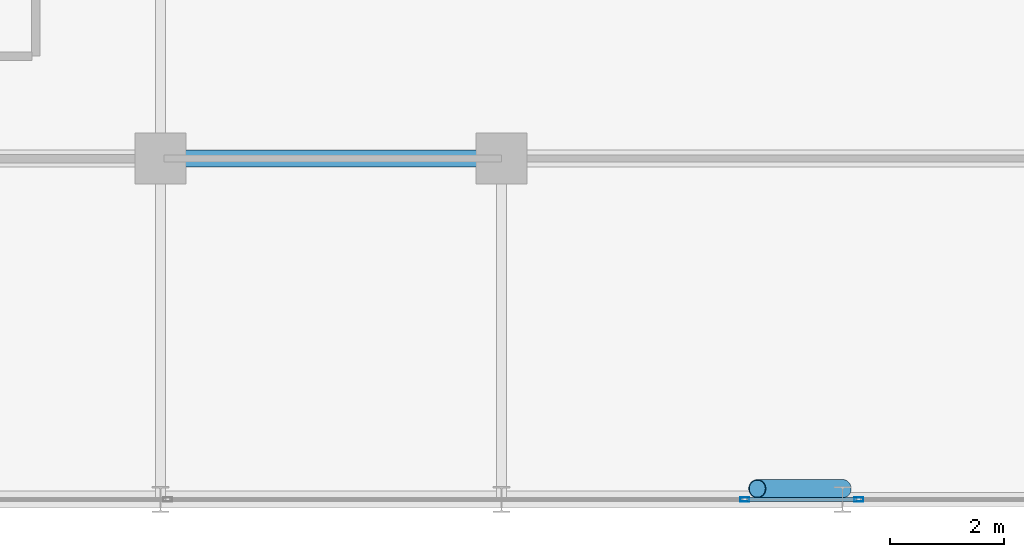
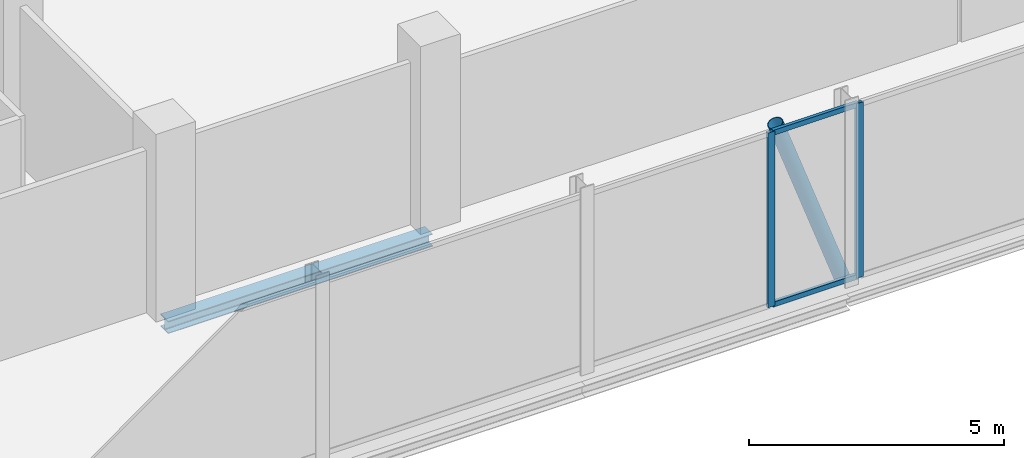
# One storey, part 12 of 31: 5 members, 1 beam, 2 elements without a shape of their own.
"""IFC4 building model written with IfcOpenShell, lengths in metres."""

from ifc_helpers import new_model, si_unit, direction, frame, origin, origin_2d, place, context, subcontext, project, spatial, hollow_rectangle, hollow_circle, i_section, extrude, material, layer, layer_set, material_profile, profile_set, type_object, element, aggregate, save


model = new_model("IFC4")

# Units and contexts
model_context = context("Model", 3, precision=1e-05, world=origin(), true_north=direction((0.0, 1.0)))
body_context = subcontext(model_context, "Body", "Model", "MODEL_VIEW")
ifc_project = project(units=[si_unit("LENGTHUNIT", "METRE"), si_unit("AREAUNIT", "SQUARE_METRE"), si_unit("VOLUMEUNIT", "CUBIC_METRE"), si_unit("PLANEANGLEUNIT", "RADIAN"), si_unit("MASSUNIT", "GRAM", prefix="KILO")], contexts=[model_context])

# Site, building, storey
site_placement = place(None, origin())
site = spatial("IfcSite", under=ifc_project, at=site_placement, CompositionType="ELEMENT")
building_placement = place(site_placement, origin())
building = spatial("IfcBuilding", under=site, at=building_placement, Name="Keshet Zoharim Tower", CompositionType="ELEMENT")
storey_placement = place(building_placement, frame((0.0, 0.0, 183.89990234375)))
storey = spatial("IfcBuildingStorey", under=building, at=storey_placement, Name="L45", CompositionType="ELEMENT", Elevation=183.89990234375)

# Beam
ifc_material_1 = material(Name="Steel S355", Category="steel")
ifc_material_profile_1 = material_profile(ifc_material_1, i_section(OverallWidth=0.300048828125, OverallDepth=0.300048828125, WebThickness=0.010986328125, FlangeThickness=0.01904296875, FilletRadius=0.027099609375, at=origin_2d()), Name="HEB300")
ifc_profile_set_1 = profile_set([ifc_material_profile_1], Name="Steel S355")
beam_type = type_object("IfcBeamType", Name="BM-PRI-HB300", PredefinedType="BEAM", material=ifc_profile_set_1)
beam_placement = place(storey_placement, frame((33.0, 6.699951171875, -0.469970703125), z_axis=(1.0, 0.0, 0.0), x_axis=(0.0, 1.0, 0.0)))
element("IfcBeam", 1, at=beam_placement, inside=storey, type_object=beam_type, Name="L45 Primary Girder X-007", PredefinedType="BEAM", context=body_context, shape_type="SweptSolid", body=[
    extrude(i_section(OverallWidth=0.300048828125, OverallDepth=0.300048828125, WebThickness=0.010986328125, FlangeThickness=0.01904296875, FilletRadius=0.027099609375, at=origin_2d()), origin(), (0.0, 0.0, 1.0), 6.0),
])

# Curtain wall, member
ifc_material_2 = material(Name="Aluminium 6063-T6", Category="aluminium")
ifc_layer = layer(ifc_material_2, 0.139892578125)
ifc_layer_set = layer_set([ifc_layer], Name="Aluminium 6063-T6")
curtain_wall_type = type_object("IfcCurtainWallType", Name="CW-SYS-05", PredefinedType="NOTDEFINED", material=ifc_layer_set)
curtain_wall_1_placement = place(storey_placement, origin())
curtain_wall_1 = element("IfcCurtainWall", 2, at=curtain_wall_1_placement, inside=storey, type_object=curtain_wall_type, Name="L45 Unitised Curtain Wall 11", PredefinedType="NOTDEFINED")
ifc_material_profile_2 = material_profile(ifc_material_2, hollow_rectangle(XDim=0.074951171875, YDim=0.159912109375, WallThickness=0.00390625, at=origin_2d()), Name="MUL-75x160")
ifc_profile_set_2 = profile_set([ifc_material_profile_2], Name="Aluminium 6063-T6")
member_type_1 = type_object("IfcMemberType", Name="CWM-M15", PredefinedType="MULLION", material=ifc_profile_set_2)
member_1_placement = place(storey_placement, frame((45.28759765625, 0.699951171875, 0.0), z_axis=(0.0, 0.0, 1.0), x_axis=(0.0, -1.0, 0.0)))
member_1 = element("IfcMember", 3, at=member_1_placement, type_object=member_type_1, Name="CW-05 mullion 2", PredefinedType="MULLION", context=body_context, shape_type="SweptSolid", body=[
    extrude(hollow_rectangle(XDim=0.074951171875, YDim=0.159912109375, WallThickness=0.00390625, at=origin_2d()), origin(), (0.0, 0.0, 1.0), 4.190185546875),
])
aggregate(curtain_wall_1, [member_1])

# Curtain wall, members
curtain_wall_2_placement = place(storey_placement, origin())
curtain_wall_2 = element("IfcCurtainWall", 4, at=curtain_wall_2_placement, inside=storey, type_object=curtain_wall_type, Name="L45 Unitised Curtain Wall 11 Part 2", PredefinedType="NOTDEFINED")
member_2_placement = place(storey_placement, frame((43.282470703125, 0.699951171875, 0.0), z_axis=(0.0, 0.0, 1.0), x_axis=(0.0, -1.0, 0.0)))
member_2 = element("IfcMember", 5, at=member_2_placement, type_object=member_type_1, Name="CW-05 mullion 2", PredefinedType="MULLION", context=body_context, shape_type="SweptSolid", body=[
    extrude(hollow_rectangle(XDim=0.074951171875, YDim=0.159912109375, WallThickness=0.00390625, at=origin_2d()), origin(), (0.0, 0.0, 1.0), 4.190185546875),
])
ifc_material_profile_3 = material_profile(ifc_material_2, hollow_rectangle(XDim=0.074951171875, YDim=0.1201171875, WallThickness=0.00390625, at=origin_2d()), Name="TRN-75x120")
ifc_profile_set_3 = profile_set([ifc_material_profile_3], Name="Aluminium 6063-T6")
member_type_2 = type_object("IfcMemberType", Name="CWT-T12", PredefinedType="USERDEFINED", material=ifc_profile_set_3)
member_3_placement = place(storey_placement, frame((45.25244140625, 0.699951171875, 0.03515625), z_axis=(-1.0, 0.0, 0.0), x_axis=(0.0, -1.0, 0.0)))
member_3 = element("IfcMember", 6, at=member_3_placement, type_object=member_type_2, Name="CW-05 transom 1.1", ObjectType="TRANSOM", PredefinedType="USERDEFINED", context=body_context, shape_type="SweptSolid", body=[
    extrude(hollow_rectangle(XDim=0.074951171875, YDim=0.1201171875, WallThickness=0.00390625, at=origin_2d()), origin(), (0.0, 0.0, 1.0), 1.93505859375),
])
member_4_placement = place(storey_placement, frame((45.25244140625, 0.699951171875, 4.155029296875), z_axis=(-1.0, 0.0, 0.0), x_axis=(0.0, -1.0, 0.0)))
member_4 = element("IfcMember", 7, at=member_4_placement, type_object=member_type_2, Name="CW-05 transom 1.2", ObjectType="TRANSOM", PredefinedType="USERDEFINED", context=body_context, shape_type="SweptSolid", body=[
    extrude(hollow_rectangle(XDim=0.074951171875, YDim=0.1201171875, WallThickness=0.00390625, at=origin_2d()), origin(), (0.0, 0.0, 1.0), 1.93505859375),
])
aggregate(curtain_wall_2, [member_2, member_3, member_4])

# Member
ifc_material_profile_4 = material_profile(ifc_material_1, hollow_circle(Radius=0.161865234375, WallThickness=0.012451171875, at=origin_2d()), Name="CHS323x12.5")
ifc_profile_set_4 = profile_set([ifc_material_profile_4], Name="Steel S355")
member_type_3 = type_object("IfcMemberType", Name="MB-BR-C323", PredefinedType="BRACE", material=ifc_profile_set_4)
member_5_placement = place(storey_placement, frame((45.0, 0.889892578125, 0.0), z_axis=(-0.337034786684, 0.0, 0.941492194638), x_axis=(0.0, -1.0, 0.0)))
element("IfcMember", 8, at=member_5_placement, inside=storey, type_object=member_type_3, Name="L45 Perimeter Tube Brace 03", PredefinedType="BRACE", context=body_context, shape_type="SweptSolid", body=[
    extrude(hollow_circle(Radius=0.161865234375, WallThickness=0.012451171875, at=origin_2d()), origin(), (0.0, 0.0, 1.0), 4.45068359375),
])

save(model, "model.ifc")
